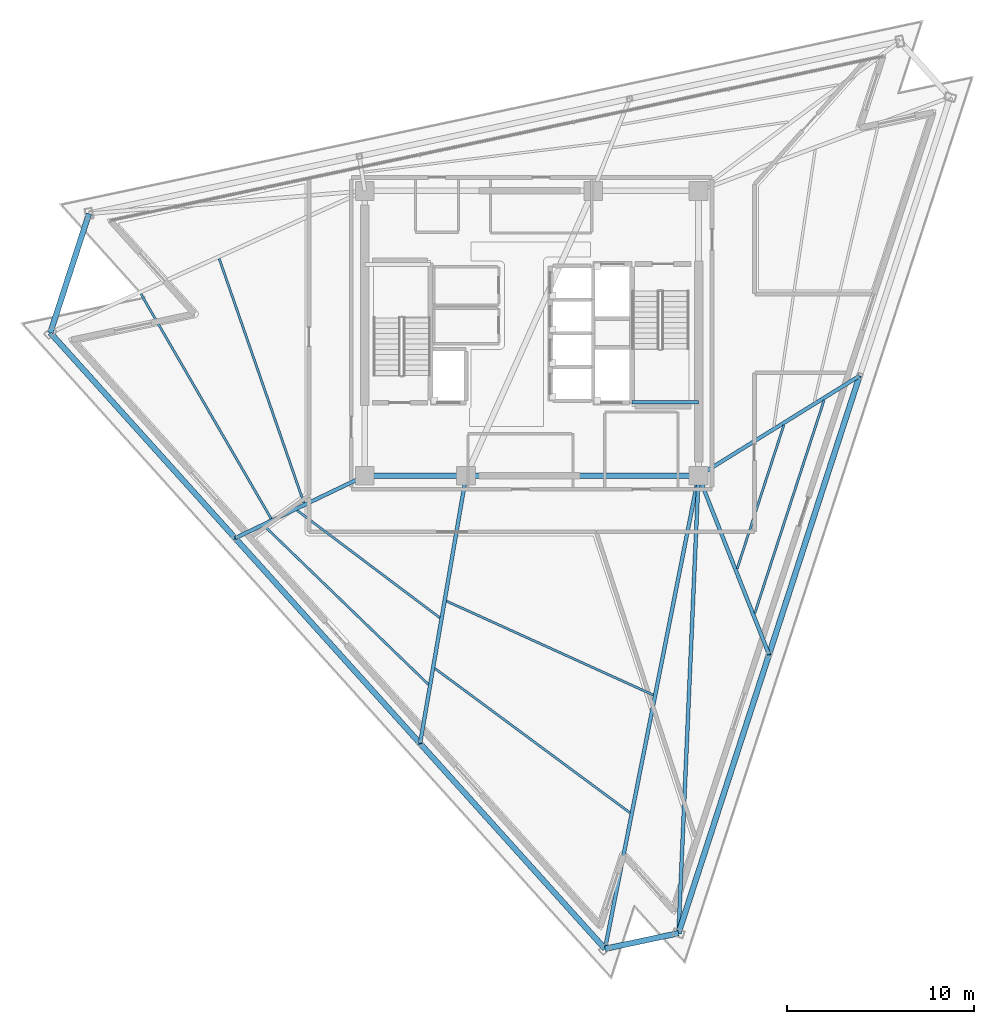
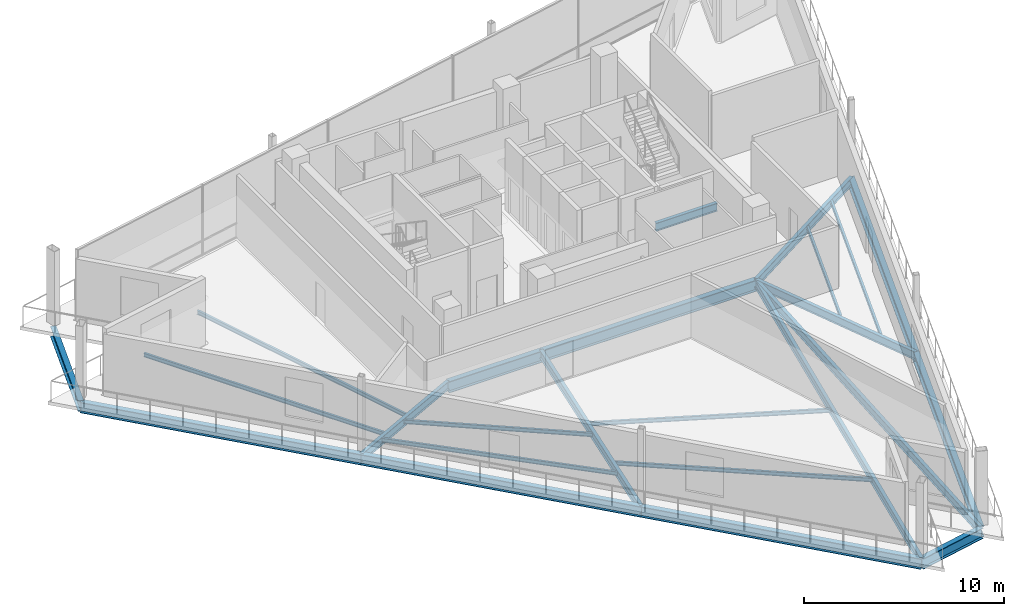
# One storey, part 3 of 11: 24 beams.
"""IFC4 building model written with IfcOpenShell, lengths in metres."""

from ifc_helpers import new_model, si_unit, direction, frame, origin, origin_2d, place, context, subcontext, project, spatial, i_section, extrude, material, material_profile, profile_set, type_object, element, save


model = new_model("IFC4")

# Units and contexts
model_context = context("Model", 3, precision=1e-05, world=origin(), true_north=direction((0.0, 1.0)))
body_context = subcontext(model_context, "Body", "Model", "MODEL_VIEW")
ifc_project = project(units=[si_unit("LENGTHUNIT", "METRE"), si_unit("AREAUNIT", "SQUARE_METRE"), si_unit("VOLUMEUNIT", "CUBIC_METRE"), si_unit("PLANEANGLEUNIT", "RADIAN"), si_unit("MASSUNIT", "GRAM", prefix="KILO")], contexts=[model_context])

# Site, building, storey
site_placement = place(None, origin())
site = spatial("IfcSite", under=ifc_project, at=site_placement, CompositionType="ELEMENT")
building_placement = place(site_placement, origin())
building = spatial("IfcBuilding", under=site, at=building_placement, Name="Tharavind Bronze Gate", CompositionType="ELEMENT")
storey_placement = place(building_placement, frame((0.0, 0.0, 306.300048828125)))
storey = spatial("IfcBuildingStorey", under=building, at=storey_placement, Name="L79", CompositionType="ELEMENT", Elevation=306.300048828125)

# Beams
ifc_material = material(Name="Steel S355", Category="steel")
ifc_material_profile_1 = material_profile(ifc_material, i_section(OverallWidth=0.300048828125, OverallDepth=0.64990234375, WebThickness=0.01611328125, FlangeThickness=0.031005859375, at=origin_2d()), Name="HE650B")
ifc_profile_set_1 = profile_set([ifc_material_profile_1], Name="Steel S355")
beam_type_1 = type_object("IfcBeamType", Name="PRIMARY GIRDER HE650B", PredefinedType="USERDEFINED", material=ifc_profile_set_1)
beam_1_placement = place(storey_placement, frame((-25.6787109375, 0.03173828125, -0.525146484375), z_axis=(0.669125777788, -0.743149173113, 0.0), x_axis=(0.743149173113, 0.669125777788, 0.0)))
element("IfcBeam", 1, at=beam_1_placement, inside=storey, type_object=beam_type_1, Name="L79 primary girder he650b BM-L79-PRG01", ObjectType="GIRDER", PredefinedType="USERDEFINED", context=body_context, shape_type="SweptSolid", body=[
    extrude(i_section(OverallWidth=0.300048828125, OverallDepth=0.64990234375, WebThickness=0.01611328125, FlangeThickness=0.031005859375, at=origin_2d()), origin(), (0.0, 0.0, 1.0), 14.739501953125),
])
for number, where, z_axis, x_axis, name in (
    (2, (-15.816162109375, -10.921875, -0.525146484375), (0.669134014343, -0.7431417569, 0.0), (0.7431417569, 0.669134014343, 0.0), "L79 primary girder he650b BM-L79-PRG02"),
    (3, (-5.95361328125, -21.875244140625, -0.525146484375), (0.669134014343, -0.7431417569, 0.0), (0.7431417569, 0.669134014343, 0.0), "L79 primary girder he650b BM-L79-PRG03"),
):
    element("IfcBeam", number, at=place(storey_placement, frame(where, z_axis=z_axis, x_axis=x_axis)), inside=storey, type_object=beam_type_1, Name=name, ObjectType="GIRDER", PredefinedType="USERDEFINED", context=body_context, shape_type="SweptSolid", body=[
        extrude(i_section(OverallWidth=0.300048828125, OverallDepth=0.64990234375, WebThickness=0.01611328125, FlangeThickness=0.031005859375, at=origin_2d()), origin(), (0.0, 0.0, 1.0), 14.7392578125),
    ])
beam_2_placement = place(storey_placement, frame((3.908935546875, -32.82861328125, -0.525146484375), z_axis=(0.978162875873, 0.207839813954, 0.0), x_axis=(-0.207839813954, 0.978162875873, 0.0)))
element("IfcBeam", 4, at=beam_2_placement, inside=storey, type_object=beam_type_1, Name="L79 primary girder he650b BM-L79-PRG04", ObjectType="GIRDER", PredefinedType="USERDEFINED", context=body_context, shape_type="SweptSolid", body=[
    extrude(i_section(OverallWidth=0.300048828125, OverallDepth=0.64990234375, WebThickness=0.01611328125, FlangeThickness=0.031005859375, at=origin_2d()), origin(), (0.0, 0.0, 1.0), 4.0078125),
])
beam_3_placement = place(storey_placement, frame((7.829345703125, -31.99560546875, -0.525146484375), z_axis=(0.309011547215, 0.951058286168, 0.0), x_axis=(-0.951058286168, 0.309011547215, 0.0)))
element("IfcBeam", 5, at=beam_3_placement, inside=storey, type_object=beam_type_1, Name="L79 primary girder he650b BM-L79-PRG05", ObjectType="GIRDER", PredefinedType="USERDEFINED", context=body_context, shape_type="SweptSolid", body=[
    extrude(i_section(OverallWidth=0.300048828125, OverallDepth=0.64990234375, WebThickness=0.01611328125, FlangeThickness=0.031005859375, at=origin_2d()), origin(), (0.0, 0.0, 1.0), 15.6298828125),
])
beam_4_placement = place(storey_placement, frame((12.6591796875, -17.130615234375, -0.525146484375), z_axis=(0.30902108499, 0.951055187164, 0.0), x_axis=(-0.951055187164, 0.30902108499, 0.0)))
element("IfcBeam", 6, at=beam_4_placement, inside=storey, type_object=beam_type_1, Name="L79 primary girder he650b BM-L79-PRG06", ObjectType="GIRDER", PredefinedType="USERDEFINED", context=body_context, shape_type="SweptSolid", body=[
    extrude(i_section(OverallWidth=0.300048828125, OverallDepth=0.64990234375, WebThickness=0.01611328125, FlangeThickness=0.031005859375, at=origin_2d()), origin(), (0.0, 0.0, 1.0), 15.63037109375),
])
beam_5_placement = place(storey_placement, frame((-23.614501953125, 6.384765625, -0.525146484375), z_axis=(-0.309014999798, -0.95105716437, 0.0), x_axis=(0.95105716437, -0.309014999798, 0.0)))
element("IfcBeam", 7, at=beam_5_placement, inside=storey, type_object=beam_type_1, Name="L79 primary girder he650b BM-L79-PRG12", ObjectType="GIRDER", PredefinedType="USERDEFINED", context=body_context, shape_type="SweptSolid", body=[
    extrude(i_section(OverallWidth=0.300048828125, OverallDepth=0.64990234375, WebThickness=0.01611328125, FlangeThickness=0.031005859375, at=origin_2d()), origin(), (0.0, 0.0, 1.0), 6.679931640625),
])
ifc_material_profile_2 = material_profile(ifc_material, i_section(OverallWidth=0.199951171875, OverallDepth=0.5, WebThickness=0.01025390625, FlangeThickness=0.01611328125, at=origin_2d()), Name="IPE500")
ifc_profile_set_2 = profile_set([ifc_material_profile_2], Name="Steel S355")
beam_type_2 = type_object("IfcBeamType", Name="PRIMARY GIRDER IPE500", PredefinedType="USERDEFINED", material=ifc_profile_set_2)
beam_6_placement = place(storey_placement, frame((5.35009765625, -3.679931640625, 1.824951171875), z_axis=(1.0, 0.0, 0.0), x_axis=(0.0, 1.0, 0.0)))
element("IfcBeam", 8, at=beam_6_placement, inside=storey, type_object=beam_type_2, Name="L79 primary girder ipe500 BM-LD-ST2-L79-1", ObjectType="GIRDER", PredefinedType="USERDEFINED", context=body_context, shape_type="SweptSolid", body=[
    extrude(i_section(OverallWidth=0.199951171875, OverallDepth=0.5, WebThickness=0.01025390625, FlangeThickness=0.01611328125, at=origin_2d()), origin(), (0.0, 0.0, 1.0), 3.5498046875),
])
beam_7_placement = place(storey_placement, frame((-15.816162109375, -10.921875, -0.449951171875), z_axis=(0.90142273265, 0.432940015547, 0.0), x_axis=(-0.432940015547, 0.90142273265, 0.0)))
element("IfcBeam", 9, at=beam_7_placement, inside=storey, type_object=beam_type_2, Name="L79 primary girder ipe500 BM-L79-RAD02", ObjectType="GIRDER", PredefinedType="USERDEFINED", context=body_context, shape_type="SweptSolid", body=[
    extrude(i_section(OverallWidth=0.199951171875, OverallDepth=0.5, WebThickness=0.01025390625, FlangeThickness=0.01611328125, at=origin_2d()), origin(), (0.0, 0.0, 1.0), 7.672607421875),
])
beam_8_placement = place(storey_placement, frame((-5.95361328125, -21.875244140625, -0.449951171875), z_axis=(0.169396075944, 0.985548055376, 0.0), x_axis=(-0.985548055376, 0.169396075944, 0.0)))
element("IfcBeam", 10, at=beam_8_placement, inside=storey, type_object=beam_type_2, Name="L79 primary girder ipe500 BM-L79-RAD03", ObjectType="GIRDER", PredefinedType="USERDEFINED", context=body_context, shape_type="SweptSolid", body=[
    extrude(i_section(OverallWidth=0.199951171875, OverallDepth=0.5, WebThickness=0.01025390625, FlangeThickness=0.01611328125, at=origin_2d()), origin(), (0.0, 0.0, 1.0), 14.484375),
])
beam_9_placement = place(storey_placement, frame((3.908935546875, -32.82861328125, -0.449951171875), z_axis=(0.194069196249, 0.980987842467, 0.0), x_axis=(-0.980987842467, 0.194069196249, 0.0)))
element("IfcBeam", 11, at=beam_9_placement, inside=storey, type_object=beam_type_2, Name="L79 primary girder ipe500 BM-L79-RAD04", ObjectType="GIRDER", PredefinedType="USERDEFINED", context=body_context, shape_type="SweptSolid", body=[
    extrude(i_section(OverallWidth=0.199951171875, OverallDepth=0.5, WebThickness=0.01025390625, FlangeThickness=0.01611328125, at=origin_2d()), origin(), (0.0, 0.0, 1.0), 25.717529296875),
])
beam_10_placement = place(storey_placement, frame((7.829345703125, -31.99560546875, -0.449951171875), z_axis=(0.043841158128, 0.9990385142, 0.0), x_axis=(-0.9990385142, 0.043841158128, 0.0)))
element("IfcBeam", 12, at=beam_10_placement, inside=storey, type_object=beam_type_2, Name="L79 primary girder ipe500 BM-L79-RAD05", ObjectType="GIRDER", PredefinedType="USERDEFINED", context=body_context, shape_type="SweptSolid", body=[
    extrude(i_section(OverallWidth=0.199951171875, OverallDepth=0.5, WebThickness=0.01025390625, FlangeThickness=0.01611328125, at=origin_2d()), origin(), (0.0, 0.0, 1.0), 24.4189453125),
])
beam_11_placement = place(storey_placement, frame((12.6591796875, -17.130615234375, -0.449951171875), z_axis=(-0.366932678931, 0.930247498859, 0.0), x_axis=(-0.930247498859, -0.366932678931, 0.0)))
element("IfcBeam", 13, at=beam_11_placement, inside=storey, type_object=beam_type_2, Name="L79 primary girder ipe500 BM-L79-RAD06", ObjectType="GIRDER", PredefinedType="USERDEFINED", context=body_context, shape_type="SweptSolid", body=[
    extrude(i_section(OverallWidth=0.199951171875, OverallDepth=0.5, WebThickness=0.01025390625, FlangeThickness=0.01611328125, at=origin_2d()), origin(), (0.0, 0.0, 1.0), 10.2451171875),
])
beam_12_placement = place(storey_placement, frame((17.4892578125, -2.265380859375, -0.449951171875), z_axis=(-0.849489786576, -0.527605063, 0.0), x_axis=(0.527605063, -0.849489786576, 0.0)))
element("IfcBeam", 14, at=beam_12_placement, inside=storey, type_object=beam_type_2, Name="L79 primary girder ipe500 BM-L79-RAD07", ObjectType="GIRDER", PredefinedType="USERDEFINED", context=body_context, shape_type="SweptSolid", body=[
    extrude(i_section(OverallWidth=0.199951171875, OverallDepth=0.5, WebThickness=0.01025390625, FlangeThickness=0.01611328125, at=origin_2d()), origin(), (0.0, 0.0, 1.0), 10.111083984375),
])
ifc_material_profile_3 = material_profile(ifc_material, i_section(OverallWidth=0.300048828125, OverallDepth=0.699951171875, WebThickness=0.01708984375, FlangeThickness=0.031982421875, at=origin_2d()), Name="HE700B")
ifc_profile_set_3 = profile_set([ifc_material_profile_3], Name="Steel S355")
beam_type_3 = type_object("IfcBeamType", Name="RING GIRDER HE700B", PredefinedType="USERDEFINED", material=ifc_profile_set_3)
beam_13_placement = place(storey_placement, frame((-8.89990234375, -7.60009765625, -0.550048828125), z_axis=(1.0, 0.0, 0.0), x_axis=(0.0, 1.0, 0.0)))
element("IfcBeam", 15, at=beam_13_placement, inside=storey, type_object=beam_type_3, Name="L79 ring girder he700b BM-L79-CR1", ObjectType="GIRDER", PredefinedType="USERDEFINED", context=body_context, shape_type="SweptSolid", body=[
    extrude(i_section(OverallWidth=0.300048828125, OverallDepth=0.699951171875, WebThickness=0.01708984375, FlangeThickness=0.031982421875, at=origin_2d()), origin(), (0.0, 0.0, 1.0), 5.39990234375),
])
beam_14_placement = place(storey_placement, frame((-3.5, -7.60009765625, -0.550048828125), z_axis=(1.0, 0.0, 0.0), x_axis=(0.0, 1.0, 0.0)))
element("IfcBeam", 16, at=beam_14_placement, inside=storey, type_object=beam_type_3, Name="L79 ring girder he700b BM-L79-CR2", ObjectType="GIRDER", PredefinedType="USERDEFINED", context=body_context, shape_type="SweptSolid", body=[
    extrude(i_section(OverallWidth=0.300048828125, OverallDepth=0.699951171875, WebThickness=0.01708984375, FlangeThickness=0.031982421875, at=origin_2d()), origin(), (0.0, 0.0, 1.0), 12.39990234375),
])
ifc_material_profile_4 = material_profile(ifc_material, i_section(OverallWidth=0.1201171875, OverallDepth=0.239990234375, WebThickness=0.006103515625, FlangeThickness=0.009765625, at=origin_2d()), Name="IPE240")
ifc_profile_set_4 = profile_set([ifc_material_profile_4], Name="Steel S355")
beam_type_4 = type_object("IfcBeamType", Name="SECONDARY FLOOR JOIST IPE240", PredefinedType="JOIST", material=ifc_profile_set_4)
beam_15_placement = place(storey_placement, frame((-16.66796875, 3.982177734375, -0.320068359375), z_axis=(0.327619503862, -0.944809748409, 0.0), x_axis=(0.944809748409, 0.327619503862, 0.0)))
element("IfcBeam", 17, at=beam_15_placement, inside=storey, type_object=beam_type_4, Name="L79 secondary floor joist ipe240 BM-L79-JSTA01", PredefinedType="JOIST", context=body_context, shape_type="SweptSolid", body=[
    extrude(i_section(OverallWidth=0.1201171875, OverallDepth=0.239990234375, WebThickness=0.006103515625, FlangeThickness=0.009765625, at=origin_2d()), origin(), (0.0, 0.0, 1.0), 13.7890625),
])
beam_16_placement = place(storey_placement, frame((-20.84423828125, 2.09814453125, -0.320068359375), z_axis=(0.501531582807, -0.865139336435, 0.0), x_axis=(0.865139336435, 0.501531582807, 0.0)))
element("IfcBeam", 18, at=beam_16_placement, inside=storey, type_object=beam_type_4, Name="L79 secondary floor joist ipe240 BM-L79-JSTB01", PredefinedType="JOIST", context=body_context, shape_type="SweptSolid", body=[
    extrude(i_section(OverallWidth=0.1201171875, OverallDepth=0.239990234375, WebThickness=0.006103515625, FlangeThickness=0.009765625, at=origin_2d()), origin(), (0.0, 0.0, 1.0), 13.85107421875),
])
beam_17_placement = place(storey_placement, frame((-12.507080078125, -9.447265625, -0.320068359375), z_axis=(0.799041209175, -0.601276264325, 0.0), x_axis=(0.601276264325, 0.799041209175, 0.0)))
element("IfcBeam", 19, at=beam_17_placement, inside=storey, type_object=beam_type_4, Name="L79 secondary floor joist ipe240 BM-L79-JSTA02", PredefinedType="JOIST", context=body_context, shape_type="SweptSolid", body=[
    extrude(i_section(OverallWidth=0.1201171875, OverallDepth=0.239990234375, WebThickness=0.006103515625, FlangeThickness=0.009765625, at=origin_2d()), origin(), (0.0, 0.0, 1.0), 9.512939453125),
])
beam_18_placement = place(storey_placement, frame((-14.24951171875, -10.284423828125, -0.320068359375), z_axis=(0.719295778134, -0.694703953896, 0.0), x_axis=(0.694703953896, 0.719295778134, 0.0)))
element("IfcBeam", 20, at=beam_18_placement, inside=storey, type_object=beam_type_4, Name="L79 secondary floor joist ipe240 BM-L79-JSTB02", PredefinedType="JOIST", context=body_context, shape_type="SweptSolid", body=[
    extrude(i_section(OverallWidth=0.1201171875, OverallDepth=0.239990234375, WebThickness=0.006103515625, FlangeThickness=0.009765625, at=origin_2d()), origin(), (0.0, 0.0, 1.0), 12.1416015625),
])
beam_19_placement = place(storey_placement, frame((-4.543212890625, -14.2822265625, -0.320068359375), z_axis=(0.910570075217, -0.413354736419, 0.0), x_axis=(0.413354736419, 0.910570075217, 0.0)))
element("IfcBeam", 21, at=beam_19_placement, inside=storey, type_object=beam_type_4, Name="L79 secondary floor joist ipe240 BM-L79-JSTA03", PredefinedType="JOIST", context=body_context, shape_type="SweptSolid", body=[
    extrude(i_section(OverallWidth=0.1201171875, OverallDepth=0.239990234375, WebThickness=0.006103515625, FlangeThickness=0.009765625, at=origin_2d()), origin(), (0.0, 0.0, 1.0), 12.10791015625),
])
beam_20_placement = place(storey_placement, frame((-5.1611328125, -17.875732421875, -0.320068359375), z_axis=(0.803905058173, -0.594757645973, 0.0), x_axis=(0.594757645973, 0.803905058173, 0.0)))
element("IfcBeam", 22, at=beam_20_placement, inside=storey, type_object=beam_type_4, Name="L79 secondary floor joist ipe240 BM-L79-JSTB03", PredefinedType="JOIST", context=body_context, shape_type="SweptSolid", body=[
    extrude(i_section(OverallWidth=0.1201171875, OverallDepth=0.239990234375, WebThickness=0.006103515625, FlangeThickness=0.009765625, at=origin_2d()), origin(), (0.0, 0.0, 1.0), 12.937255859375),
])
beam_21_placement = place(storey_placement, frame((10.9609375, -12.545654296875, -0.320068359375), z_axis=(0.309014681119, 0.951057267914, 0.0), x_axis=(-0.951057267914, 0.309014681119, 0.0)))
element("IfcBeam", 23, at=beam_21_placement, inside=storey, type_object=beam_type_4, Name="L79 secondary floor joist ipe240 BM-L79-JSTA06", PredefinedType="JOIST", context=body_context, shape_type="SweptSolid", body=[
    extrude(i_section(OverallWidth=0.1201171875, OverallDepth=0.239990234375, WebThickness=0.006103515625, FlangeThickness=0.009765625, at=origin_2d()), origin(), (0.0, 0.0, 1.0), 8.0419921875),
])
beam_22_placement = place(storey_placement, frame((11.90087890625, -14.92822265625, -0.320068359375), z_axis=(0.309022779796, 0.951054636478, 0.0), x_axis=(-0.951054636478, 0.309022779796, 0.0)))
element("IfcBeam", 24, at=beam_22_placement, inside=storey, type_object=beam_type_4, Name="L79 secondary floor joist ipe240 BM-L79-JSTB06", PredefinedType="JOIST", context=body_context, shape_type="SweptSolid", body=[
    extrude(i_section(OverallWidth=0.1201171875, OverallDepth=0.239990234375, WebThickness=0.006103515625, FlangeThickness=0.009765625, at=origin_2d()), origin(), (0.0, 0.0, 1.0), 11.949462890625),
])

save(model, "model.ifc")
